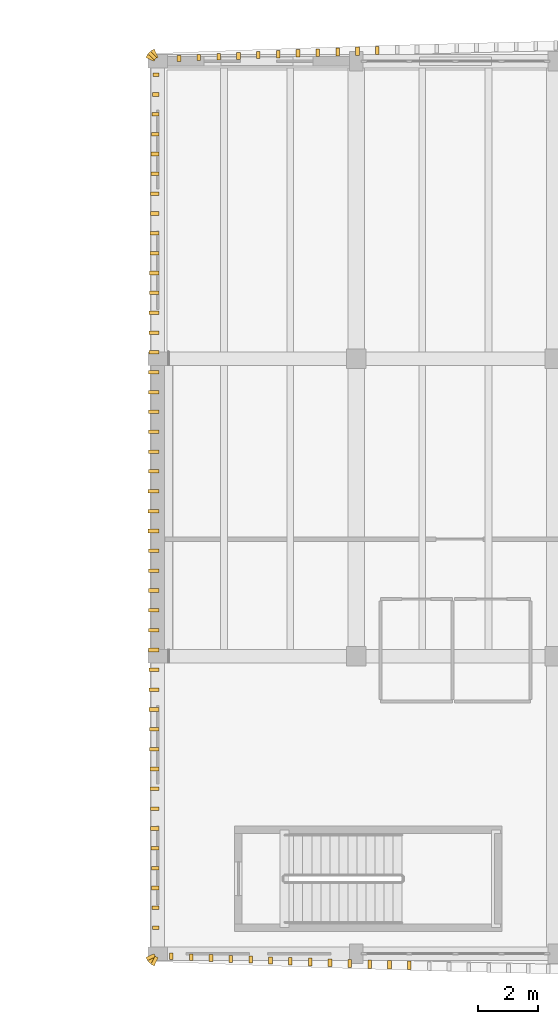
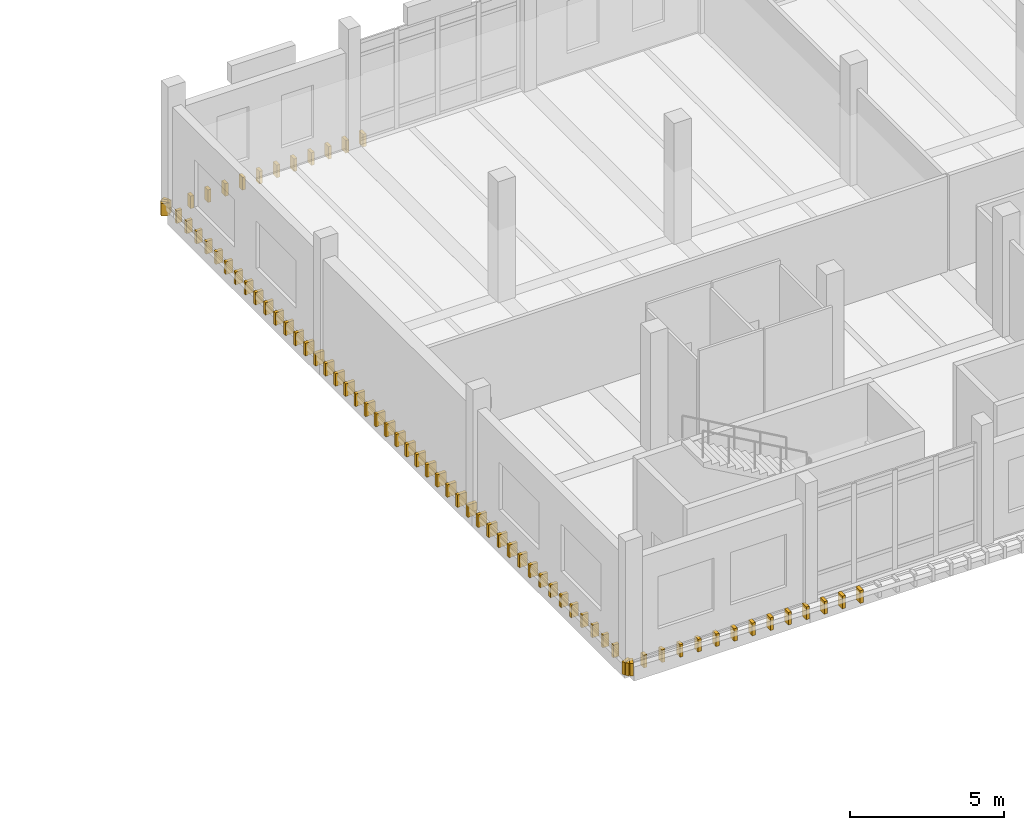
# One storey, part 37 of 39: 74 coverings.
"""IFC4 building model written with IfcOpenShell, lengths in metres."""

from ifc_helpers import new_model, si_unit, direction, frame, origin, origin_2d, place, context, subcontext, project, spatial, rectangle, extrude, material, layer, layer_set, type_object, element, save


model = new_model("IFC4")

# Units and contexts
model_context = context("Model", 3, precision=1e-05, world=origin(), true_north=direction((0.0, 1.0)))
body_context = subcontext(model_context, "Body", "Model", "MODEL_VIEW")
ifc_project = project(units=[si_unit("LENGTHUNIT", "METRE"), si_unit("AREAUNIT", "SQUARE_METRE"), si_unit("VOLUMEUNIT", "CUBIC_METRE"), si_unit("PLANEANGLEUNIT", "RADIAN"), si_unit("MASSUNIT", "GRAM", prefix="KILO")], contexts=[model_context])

# Site, building, storey
site_placement = place(None, origin())
site = spatial("IfcSite", under=ifc_project, at=site_placement, CompositionType="ELEMENT")
building_placement = place(site_placement, origin())
building = spatial("IfcBuilding", under=site, at=building_placement, Name="Dornvale Research Institute", CompositionType="ELEMENT")
storey_placement = place(building_placement, frame((0.0, 0.0, 24.60009765625)))
storey = spatial("IfcBuildingStorey", under=building, at=storey_placement, Name="L05", CompositionType="ELEMENT", Elevation=24.60009765625)

# Coverings
ifc_material = material(Name="Polychrome Glazed Terracotta Visor Rib Ceramic", Category="masonry")
ifc_layer = layer(ifc_material, 0.1201171875)
ifc_layer_set = layer_set([ifc_layer], Name="Polychrome Glazed Terracotta Visor Rib Ceramic")
covering_type = type_object("IfcCoveringType", Name="Covering_VisorBlade_Low", PredefinedType="CLADDING", material=ifc_layer_set)
covering_1_placement = place(storey_placement, frame((119.249755859375, 92.31982421875, -0.489990234375), z_axis=(0.0, 0.0, 1.0), x_axis=(0.0, 1.0, 0.0)))
element("IfcCovering", 1, at=covering_1_placement, inside=storey, type_object=covering_type, Name="L05 V4 canted glazed terracotta visor blade #2811", PredefinedType="CLADDING", context=body_context, shape_type="SweptSolid", body=[
    extrude(rectangle(XDim=0.205078125, YDim=0.1201171875, at=origin_2d()), origin(), (0.0, 0.0, 1.0), 0.5),
])
covering_2_placement = place(storey_placement, frame((119.9091796875, 92.290283203125, -0.489990234375), z_axis=(0.0, 0.0, 1.0), x_axis=(0.0, 1.0, 0.0)))
element("IfcCovering", 2, at=covering_2_placement, inside=storey, type_object=covering_type, Name="L05 V4 canted glazed terracotta visor blade #2812", PredefinedType="CLADDING", context=body_context, shape_type="SweptSolid", body=[
    extrude(rectangle(XDim=0.212890625, YDim=0.1201171875, at=origin_2d()), origin(), (0.0, 0.0, 1.0), 0.5),
])
covering_3_placement = place(storey_placement, frame((120.568603515625, 92.26123046875, -0.489990234375), z_axis=(0.0, 0.0, 1.0), x_axis=(0.0, 1.0, 0.0)))
element("IfcCovering", 3, at=covering_3_placement, inside=storey, type_object=covering_type, Name="L05 V4 canted glazed terracotta visor blade #2813", PredefinedType="CLADDING", context=body_context, shape_type="SweptSolid", body=[
    extrude(rectangle(XDim=0.219970703125, YDim=0.1201171875, at=origin_2d()), origin(), (0.0, 0.0, 1.0), 0.5),
])
covering_4_placement = place(storey_placement, frame((121.228271484375, 92.2333984375, -0.489990234375), z_axis=(0.0, 0.0, 1.0), x_axis=(0.0, 1.0, 0.0)))
element("IfcCovering", 4, at=covering_4_placement, inside=storey, type_object=covering_type, Name="L05 V4 canted glazed terracotta visor blade #2814", PredefinedType="CLADDING", context=body_context, shape_type="SweptSolid", body=[
    extrude(rectangle(XDim=0.22705078125, YDim=0.1201171875, at=origin_2d()), origin(), (0.0, 0.0, 1.0), 0.5),
])
covering_5_placement = place(storey_placement, frame((121.8876953125, 92.205810546875, -0.489990234375), z_axis=(0.0, 0.0, 1.0), x_axis=(0.0, 1.0, 0.0)))
element("IfcCovering", 5, at=covering_5_placement, inside=storey, type_object=covering_type, Name="L05 V4 canted glazed terracotta visor blade #2815", PredefinedType="CLADDING", context=body_context, shape_type="SweptSolid", body=[
    extrude(rectangle(XDim=0.23388671875, YDim=0.1201171875, at=origin_2d()), origin(), (0.0, 0.0, 1.0), 0.5),
])
covering_6_placement = place(storey_placement, frame((122.54736328125, 92.17919921875, -0.489990234375), z_axis=(0.0, 0.0, 1.0), x_axis=(0.0, 1.0, 0.0)))
element("IfcCovering", 6, at=covering_6_placement, inside=storey, type_object=covering_type, Name="L05 V4 canted glazed terracotta visor blade #2816", PredefinedType="CLADDING", context=body_context, shape_type="SweptSolid", body=[
    extrude(rectangle(XDim=0.240966796875, YDim=0.1201171875, at=origin_2d()), origin(), (0.0, 0.0, 1.0), 0.5),
])
covering_7_placement = place(storey_placement, frame((123.20703125, 92.1533203125, -0.489990234375), z_axis=(0.0, 0.0, 1.0), x_axis=(0.0, 1.0, 0.0)))
element("IfcCovering", 7, at=covering_7_placement, inside=storey, type_object=covering_type, Name="L05 V4 canted glazed terracotta visor blade #2817", PredefinedType="CLADDING", context=body_context, shape_type="SweptSolid", body=[
    extrude(rectangle(XDim=0.248046875, YDim=0.1201171875, at=origin_2d()), origin(), (0.0, 0.0, 1.0), 0.5),
])
covering_8_placement = place(storey_placement, frame((123.86669921875, 92.1279296875, -0.489990234375), z_axis=(0.0, 0.0, 1.0), x_axis=(0.0, 1.0, 0.0)))
element("IfcCovering", 8, at=covering_8_placement, inside=storey, type_object=covering_type, Name="L05 V4 canted glazed terracotta visor blade #2818", PredefinedType="CLADDING", context=body_context, shape_type="SweptSolid", body=[
    extrude(rectangle(XDim=0.25390625, YDim=0.1201171875, at=origin_2d()), origin(), (0.0, 0.0, 1.0), 0.5),
])
covering_9_placement = place(storey_placement, frame((124.5263671875, 92.10400390625, -0.489990234375), z_axis=(0.0, 0.0, 1.0), x_axis=(0.0, 1.0, 0.0)))
element("IfcCovering", 9, at=covering_9_placement, inside=storey, type_object=covering_type, Name="L05 V4 canted glazed terracotta visor blade #2819", PredefinedType="CLADDING", context=body_context, shape_type="SweptSolid", body=[
    extrude(rectangle(XDim=0.260009765625, YDim=0.1201171875, at=origin_2d()), origin(), (0.0, 0.0, 1.0), 0.5),
])
covering_10_placement = place(storey_placement, frame((125.185791015625, 92.080078125, -0.489990234375), z_axis=(0.0, 0.0, 1.0), x_axis=(0.0, 1.0, 0.0)))
element("IfcCovering", 10, at=covering_10_placement, inside=storey, type_object=covering_type, Name="L05 V4 canted glazed terracotta visor blade #2820", PredefinedType="CLADDING", context=body_context, shape_type="SweptSolid", body=[
    extrude(rectangle(XDim=0.26611328125, YDim=0.1201171875, at=origin_2d()), origin(), (0.0, 0.0, 1.0), 0.5),
])
covering_11_placement = place(storey_placement, frame((125.845703125, 92.05712890625, -0.489990234375), z_axis=(0.0, 0.0, 1.0), x_axis=(0.0, 1.0, 0.0)))
element("IfcCovering", 11, at=covering_11_placement, inside=storey, type_object=covering_type, Name="L05 V4 canted glazed terracotta visor blade #2821", PredefinedType="CLADDING", context=body_context, shape_type="SweptSolid", body=[
    extrude(rectangle(XDim=0.27197265625, YDim=0.1201171875, at=origin_2d()), origin(), (0.0, 0.0, 1.0), 0.5),
])
covering_12_placement = place(storey_placement, frame((126.50537109375, 92.034912109375, -0.489990234375), z_axis=(0.0, 0.0, 1.0), x_axis=(0.0, 1.0, 0.0)))
element("IfcCovering", 12, at=covering_12_placement, inside=storey, type_object=covering_type, Name="L05 V4 canted glazed terracotta visor blade #2822", PredefinedType="CLADDING", context=body_context, shape_type="SweptSolid", body=[
    extrude(rectangle(XDim=0.278076171875, YDim=0.1201171875, at=origin_2d()), origin(), (0.0, 0.0, 1.0), 0.5),
])
covering_13_placement = place(storey_placement, frame((127.1650390625, 92.01318359375, -0.489990234375), z_axis=(0.0, 0.0, 1.0), x_axis=(0.0, 1.0, 0.0)))
element("IfcCovering", 13, at=covering_13_placement, inside=storey, type_object=covering_type, Name="L05 V4 canted glazed terracotta visor blade #2823", PredefinedType="CLADDING", context=body_context, shape_type="SweptSolid", body=[
    extrude(rectangle(XDim=0.282958984375, YDim=0.1201171875, at=origin_2d()), origin(), (0.0, 0.0, 1.0), 0.5),
])
covering_14_placement = place(storey_placement, frame((126.100341796875, 122.451416015625, -0.489990234375), z_axis=(0.0, 0.0, 1.0), x_axis=(0.0, 1.0, 0.0)))
element("IfcCovering", 14, at=covering_14_placement, inside=storey, type_object=covering_type, Name="L05 V4 canted glazed terracotta visor blade #2964", PredefinedType="CLADDING", context=body_context, shape_type="SweptSolid", body=[
    extrude(rectangle(XDim=0.27392578125, YDim=0.1201171875, at=origin_2d()), origin(), (0.0, 0.0, 1.0), 0.5),
])
covering_15_placement = place(storey_placement, frame((125.440673828125, 122.428955078125, -0.489990234375), z_axis=(0.0, 0.0, 1.0), x_axis=(0.0, 1.0, 0.0)))
element("IfcCovering", 15, at=covering_15_placement, inside=storey, type_object=covering_type, Name="L05 V4 canted glazed terracotta visor blade #2965", PredefinedType="CLADDING", context=body_context, shape_type="SweptSolid", body=[
    extrude(rectangle(XDim=0.26806640625, YDim=0.1201171875, at=origin_2d()), origin(), (0.0, 0.0, 1.0), 0.5),
])
covering_16_placement = place(storey_placement, frame((124.781005859375, 122.405029296875, -0.489990234375), z_axis=(0.0, 0.0, 1.0), x_axis=(0.0, 1.0, 0.0)))
element("IfcCovering", 16, at=covering_16_placement, inside=storey, type_object=covering_type, Name="L05 V4 canted glazed terracotta visor blade #2966", PredefinedType="CLADDING", context=body_context, shape_type="SweptSolid", body=[
    extrude(rectangle(XDim=0.261962890625, YDim=0.1201171875, at=origin_2d()), origin(), (0.0, 0.0, 1.0), 0.5),
])
covering_17_placement = place(storey_placement, frame((124.12109375, 122.381103515625, -0.489990234375), z_axis=(0.0, 0.0, 1.0), x_axis=(0.0, 1.0, 0.0)))
element("IfcCovering", 17, at=covering_17_placement, inside=storey, type_object=covering_type, Name="L05 V4 canted glazed terracotta visor blade #2967", PredefinedType="CLADDING", context=body_context, shape_type="SweptSolid", body=[
    extrude(rectangle(XDim=0.256103515625, YDim=0.1201171875, at=origin_2d()), origin(), (0.0, 0.0, 1.0), 0.5),
])
covering_18_placement = place(storey_placement, frame((123.461669921875, 122.3564453125, -0.489990234375), z_axis=(0.0, 0.0, 1.0), x_axis=(0.0, 1.0, 0.0)))
element("IfcCovering", 18, at=covering_18_placement, inside=storey, type_object=covering_type, Name="L05 V4 canted glazed terracotta visor blade #2968", PredefinedType="CLADDING", context=body_context, shape_type="SweptSolid", body=[
    extrude(rectangle(XDim=0.25, YDim=0.1201171875, at=origin_2d()), origin(), (0.0, 0.0, 1.0), 0.5),
])
covering_19_placement = place(storey_placement, frame((122.802001953125, 122.33056640625, -0.489990234375), z_axis=(0.0, 0.0, 1.0), x_axis=(0.0, 1.0, 0.0)))
element("IfcCovering", 19, at=covering_19_placement, inside=storey, type_object=covering_type, Name="L05 V4 canted glazed terracotta visor blade #2969", PredefinedType="CLADDING", context=body_context, shape_type="SweptSolid", body=[
    extrude(rectangle(XDim=0.242919921875, YDim=0.1201171875, at=origin_2d()), origin(), (0.0, 0.0, 1.0), 0.5),
])
covering_20_placement = place(storey_placement, frame((122.142333984375, 122.304931640625, -0.489990234375), z_axis=(0.0, 0.0, 1.0), x_axis=(0.0, 1.0, 0.0)))
element("IfcCovering", 20, at=covering_20_placement, inside=storey, type_object=covering_type, Name="L05 V4 canted glazed terracotta visor blade #2970", PredefinedType="CLADDING", context=body_context, shape_type="SweptSolid", body=[
    extrude(rectangle(XDim=0.237060546875, YDim=0.1201171875, at=origin_2d()), origin(), (0.0, 0.0, 1.0), 0.5),
])
covering_21_placement = place(storey_placement, frame((121.48291015625, 122.27734375, -0.489990234375), z_axis=(0.0, 0.0, 1.0), x_axis=(0.0, 1.0, 0.0)))
element("IfcCovering", 21, at=covering_21_placement, inside=storey, type_object=covering_type, Name="L05 V4 canted glazed terracotta visor blade #2971", PredefinedType="CLADDING", context=body_context, shape_type="SweptSolid", body=[
    extrude(rectangle(XDim=0.22998046875, YDim=0.1201171875, at=origin_2d()), origin(), (0.0, 0.0, 1.0), 0.5),
])
covering_22_placement = place(storey_placement, frame((120.8232421875, 122.24951171875, -0.489990234375), z_axis=(0.0, 0.0, 1.0), x_axis=(0.0, 1.0, 0.0)))
element("IfcCovering", 22, at=covering_22_placement, inside=storey, type_object=covering_type, Name="L05 V4 canted glazed terracotta visor blade #2972", PredefinedType="CLADDING", context=body_context, shape_type="SweptSolid", body=[
    extrude(rectangle(XDim=0.222900390625, YDim=0.1201171875, at=origin_2d()), origin(), (0.0, 0.0, 1.0), 0.5),
])
covering_23_placement = place(storey_placement, frame((120.163818359375, 122.22119140625, -0.489990234375), z_axis=(0.0, 0.0, 1.0), x_axis=(0.0, 1.0, 0.0)))
element("IfcCovering", 23, at=covering_23_placement, inside=storey, type_object=covering_type, Name="L05 V4 canted glazed terracotta visor blade #2973", PredefinedType="CLADDING", context=body_context, shape_type="SweptSolid", body=[
    extrude(rectangle(XDim=0.216064453125, YDim=0.1201171875, at=origin_2d()), origin(), (0.0, 0.0, 1.0), 0.5),
])
covering_24_placement = place(storey_placement, frame((119.504150390625, 122.19140625, -0.489990234375), z_axis=(0.0, 0.0, 1.0), x_axis=(0.0, 1.0, 0.0)))
element("IfcCovering", 24, at=covering_24_placement, inside=storey, type_object=covering_type, Name="L05 V4 canted glazed terracotta visor blade #2974", PredefinedType="CLADDING", context=body_context, shape_type="SweptSolid", body=[
    extrude(rectangle(XDim=0.2080078125, YDim=0.1201171875, at=origin_2d()), origin(), (0.0, 0.0, 1.0), 0.5),
])
covering_25_placement = place(storey_placement, frame((118.735107421875, 121.64990234375, -0.489990234375), z_axis=(0.0, 0.0, 1.0), x_axis=(1.0, 0.0, 0.0)))
element("IfcCovering", 25, at=covering_25_placement, inside=storey, type_object=covering_type, Name="L05 V4 canted glazed terracotta visor blade #2975", PredefinedType="CLADDING", context=body_context, shape_type="SweptSolid", body=[
    extrude(rectangle(XDim=0.2099609375, YDim=0.1201171875, at=origin_2d()), origin(), (0.0, 0.0, 1.0), 0.5),
])
covering_26_placement = place(storey_placement, frame((118.728515625, 120.989990234375, -0.489990234375), z_axis=(0.0, 0.0, 1.0), x_axis=(1.0, 0.0, 0.0)))
element("IfcCovering", 26, at=covering_26_placement, inside=storey, type_object=covering_type, Name="L05 V4 canted glazed terracotta visor blade #2976", PredefinedType="CLADDING", context=body_context, shape_type="SweptSolid", body=[
    extrude(rectangle(XDim=0.222900390625, YDim=0.1201171875, at=origin_2d()), origin(), (0.0, 0.0, 1.0), 0.5),
])
covering_27_placement = place(storey_placement, frame((118.721923828125, 120.330078125, -0.489990234375), z_axis=(0.0, 0.0, 1.0), x_axis=(1.0, 0.0, 0.0)))
element("IfcCovering", 27, at=covering_27_placement, inside=storey, type_object=covering_type, Name="L05 V4 canted glazed terracotta visor blade #2977", PredefinedType="CLADDING", context=body_context, shape_type="SweptSolid", body=[
    extrude(rectangle(XDim=0.236083984375, YDim=0.1201171875, at=origin_2d()), origin(), (0.0, 0.0, 1.0), 0.5),
])
covering_28_placement = place(storey_placement, frame((118.716064453125, 119.669921875, -0.489990234375), z_axis=(0.0, 0.0, 1.0), x_axis=(1.0, 0.0, 0.0)))
element("IfcCovering", 28, at=covering_28_placement, inside=storey, type_object=covering_type, Name="L05 V4 canted glazed terracotta visor blade #2978", PredefinedType="CLADDING", context=body_context, shape_type="SweptSolid", body=[
    extrude(rectangle(XDim=0.248046875, YDim=0.1201171875, at=origin_2d()), origin(), (0.0, 0.0, 1.0), 0.5),
])
covering_29_placement = place(storey_placement, frame((118.7099609375, 119.010009765625, -0.489990234375), z_axis=(0.0, 0.0, 1.0), x_axis=(1.0, 0.0, 0.0)))
element("IfcCovering", 29, at=covering_29_placement, inside=storey, type_object=covering_type, Name="L05 V4 canted glazed terracotta visor blade #2979", PredefinedType="CLADDING", context=body_context, shape_type="SweptSolid", body=[
    extrude(rectangle(XDim=0.260009765625, YDim=0.1201171875, at=origin_2d()), origin(), (0.0, 0.0, 1.0), 0.5),
])
covering_30_placement = place(storey_placement, frame((118.70458984375, 118.35009765625, -0.489990234375), z_axis=(0.0, 0.0, 1.0), x_axis=(1.0, 0.0, 0.0)))
element("IfcCovering", 30, at=covering_30_placement, inside=storey, type_object=covering_type, Name="L05 V4 canted glazed terracotta visor blade #2980", PredefinedType="CLADDING", context=body_context, shape_type="SweptSolid", body=[
    extrude(rectangle(XDim=0.27099609375, YDim=0.1201171875, at=origin_2d()), origin(), (0.0, 0.0, 1.0), 0.5),
])
covering_31_placement = place(storey_placement, frame((118.699462890625, 117.68994140625, -0.489990234375), z_axis=(0.0, 0.0, 1.0), x_axis=(1.0, 0.0, 0.0)))
element("IfcCovering", 31, at=covering_31_placement, inside=storey, type_object=covering_type, Name="L05 V4 canted glazed terracotta visor blade #2981", PredefinedType="CLADDING", context=body_context, shape_type="SweptSolid", body=[
    extrude(rectangle(XDim=0.281005859375, YDim=0.1201171875, at=origin_2d()), origin(), (0.0, 0.0, 1.0), 0.5),
])
covering_32_placement = place(storey_placement, frame((118.694580078125, 117.030029296875, -0.489990234375), z_axis=(0.0, 0.0, 1.0), x_axis=(1.0, 0.0, 0.0)))
element("IfcCovering", 32, at=covering_32_placement, inside=storey, type_object=covering_type, Name="L05 V4 canted glazed terracotta visor blade #2982", PredefinedType="CLADDING", context=body_context, shape_type="SweptSolid", body=[
    extrude(rectangle(XDim=0.291015625, YDim=0.1201171875, at=origin_2d()), origin(), (0.0, 0.0, 1.0), 0.5),
])
covering_33_placement = place(storey_placement, frame((118.68994140625, 116.3701171875, -0.489990234375), z_axis=(0.0, 0.0, 1.0), x_axis=(1.0, 0.0, 0.0)))
element("IfcCovering", 33, at=covering_33_placement, inside=storey, type_object=covering_type, Name="L05 V4 canted glazed terracotta visor blade #2983", PredefinedType="CLADDING", context=body_context, shape_type="SweptSolid", body=[
    extrude(rectangle(XDim=0.300048828125, YDim=0.1201171875, at=origin_2d()), origin(), (0.0, 0.0, 1.0), 0.5),
])
covering_34_placement = place(storey_placement, frame((118.68603515625, 115.7099609375, -0.489990234375), z_axis=(0.0, 0.0, 1.0), x_axis=(1.0, 0.0, 0.0)))
element("IfcCovering", 34, at=covering_34_placement, inside=storey, type_object=covering_type, Name="L05 V4 canted glazed terracotta visor blade #2984", PredefinedType="CLADDING", context=body_context, shape_type="SweptSolid", body=[
    extrude(rectangle(XDim=0.30810546875, YDim=0.1201171875, at=origin_2d()), origin(), (0.0, 0.0, 1.0), 0.5),
])
covering_35_placement = place(storey_placement, frame((118.681884765625, 115.050048828125, -0.489990234375), z_axis=(0.0, 0.0, 1.0), x_axis=(1.0, 0.0, 0.0)))
element("IfcCovering", 35, at=covering_35_placement, inside=storey, type_object=covering_type, Name="L05 V4 canted glazed terracotta visor blade #2985", PredefinedType="CLADDING", context=body_context, shape_type="SweptSolid", body=[
    extrude(rectangle(XDim=0.31591796875, YDim=0.1201171875, at=origin_2d()), origin(), (0.0, 0.0, 1.0), 0.5),
])
covering_36_placement = place(storey_placement, frame((118.678466796875, 114.389892578125, -0.489990234375), z_axis=(0.0, 0.0, 1.0), x_axis=(1.0, 0.0, 0.0)))
element("IfcCovering", 36, at=covering_36_placement, inside=storey, type_object=covering_type, Name="L05 V4 canted glazed terracotta visor blade #2986", PredefinedType="CLADDING", context=body_context, shape_type="SweptSolid", body=[
    extrude(rectangle(XDim=0.322998046875, YDim=0.1201171875, at=origin_2d()), origin(), (0.0, 0.0, 1.0), 0.5),
])
covering_37_placement = place(storey_placement, frame((118.675048828125, 113.72998046875, -0.489990234375), z_axis=(0.0, 0.0, 1.0), x_axis=(1.0, 0.0, 0.0)))
element("IfcCovering", 37, at=covering_37_placement, inside=storey, type_object=covering_type, Name="L05 V4 canted glazed terracotta visor blade #2987", PredefinedType="CLADDING", context=body_context, shape_type="SweptSolid", body=[
    extrude(rectangle(XDim=0.330078125, YDim=0.1201171875, at=origin_2d()), origin(), (0.0, 0.0, 1.0), 0.5),
])
covering_38_placement = place(storey_placement, frame((118.672607421875, 113.070068359375, -0.489990234375), z_axis=(0.0, 0.0, 1.0), x_axis=(1.0, 0.0, 0.0)))
element("IfcCovering", 38, at=covering_38_placement, inside=storey, type_object=covering_type, Name="L05 V4 canted glazed terracotta visor blade #2988", PredefinedType="CLADDING", context=body_context, shape_type="SweptSolid", body=[
    extrude(rectangle(XDim=0.3349609375, YDim=0.1201171875, at=origin_2d()), origin(), (0.0, 0.0, 1.0), 0.5),
])
covering_39_placement = place(storey_placement, frame((118.66943359375, 112.409912109375, -0.489990234375), z_axis=(0.0, 0.0, 1.0), x_axis=(1.0, 0.0, 0.0)))
element("IfcCovering", 39, at=covering_39_placement, inside=storey, type_object=covering_type, Name="L05 V4 canted glazed terracotta visor blade #2989", PredefinedType="CLADDING", context=body_context, shape_type="SweptSolid", body=[
    extrude(rectangle(XDim=0.341064453125, YDim=0.1201171875, at=origin_2d()), origin(), (0.0, 0.0, 1.0), 0.5),
])
covering_40_placement = place(storey_placement, frame((118.66748046875, 111.75, -0.489990234375), z_axis=(0.0, 0.0, 1.0), x_axis=(1.0, 0.0, 0.0)))
element("IfcCovering", 40, at=covering_40_placement, inside=storey, type_object=covering_type, Name="L05 V4 canted glazed terracotta visor blade #2990", PredefinedType="CLADDING", context=body_context, shape_type="SweptSolid", body=[
    extrude(rectangle(XDim=0.344970703125, YDim=0.1201171875, at=origin_2d()), origin(), (0.0, 0.0, 1.0), 0.5),
])
covering_41_placement = place(storey_placement, frame((118.66552734375, 111.090087890625, -0.489990234375), z_axis=(0.0, 0.0, 1.0), x_axis=(1.0, 0.0, 0.0)))
element("IfcCovering", 41, at=covering_41_placement, inside=storey, type_object=covering_type, Name="L05 V4 canted glazed terracotta visor blade #2991", PredefinedType="CLADDING", context=body_context, shape_type="SweptSolid", body=[
    extrude(rectangle(XDim=0.34912109375, YDim=0.1201171875, at=origin_2d()), origin(), (0.0, 0.0, 1.0), 0.5),
])
covering_42_placement = place(storey_placement, frame((118.66357421875, 110.429931640625, -0.489990234375), z_axis=(0.0, 0.0, 1.0), x_axis=(1.0, 0.0, 0.0)))
element("IfcCovering", 42, at=covering_42_placement, inside=storey, type_object=covering_type, Name="L05 V4 canted glazed terracotta visor blade #2992", PredefinedType="CLADDING", context=body_context, shape_type="SweptSolid", body=[
    extrude(rectangle(XDim=0.35302734375, YDim=0.1201171875, at=origin_2d()), origin(), (0.0, 0.0, 1.0), 0.5),
])
covering_43_placement = place(storey_placement, frame((118.66259765625, 109.77001953125, -0.489990234375), z_axis=(0.0, 0.0, 1.0), x_axis=(1.0, 0.0, 0.0)))
element("IfcCovering", 43, at=covering_43_placement, inside=storey, type_object=covering_type, Name="L05 V4 canted glazed terracotta visor blade #2993", PredefinedType="CLADDING", context=body_context, shape_type="SweptSolid", body=[
    extrude(rectangle(XDim=0.35498046875, YDim=0.1201171875, at=origin_2d()), origin(), (0.0, 0.0, 1.0), 0.5),
])
covering_44_placement = place(storey_placement, frame((118.66162109375, 109.110107421875, -0.489990234375), z_axis=(0.0, 0.0, 1.0), x_axis=(1.0, 0.0, 0.0)))
element("IfcCovering", 44, at=covering_44_placement, inside=storey, type_object=covering_type, Name="L05 V4 canted glazed terracotta visor blade #2994", PredefinedType="CLADDING", context=body_context, shape_type="SweptSolid", body=[
    extrude(rectangle(XDim=0.35693359375, YDim=0.1201171875, at=origin_2d()), origin(), (0.0, 0.0, 1.0), 0.5),
])
covering_45_placement = place(storey_placement, frame((118.660400390625, 108.449951171875, -0.489990234375), z_axis=(0.0, 0.0, 1.0), x_axis=(1.0, 0.0, 0.0)))
element("IfcCovering", 45, at=covering_45_placement, inside=storey, type_object=covering_type, Name="L05 V4 canted glazed terracotta visor blade #2995", PredefinedType="CLADDING", context=body_context, shape_type="SweptSolid", body=[
    extrude(rectangle(XDim=0.35888671875, YDim=0.1201171875, at=origin_2d()), origin(), (0.0, 0.0, 1.0), 0.5),
])
for number, where, z_axis, x_axis, name in (
    (46, (118.659912109375, 107.7900390625, -0.489990234375), (0.0, 0.0, 1.0), (1.0, 0.0, 0.0), "L05 V4 canted glazed terracotta visor blade #2996"),
    (47, (118.659912109375, 107.1298828125, -0.489990234375), (0.0, 0.0, 1.0), (1.0, 0.0, 0.0), "L05 V4 canted glazed terracotta visor blade #2997"),
    (48, (118.659912109375, 106.469970703125, -0.489990234375), (0.0, 0.0, 1.0), (1.0, 0.0, 0.0), "L05 V4 canted glazed terracotta visor blade #2998"),
):
    element("IfcCovering", number, at=place(storey_placement, frame(where, z_axis=z_axis, x_axis=x_axis)), inside=storey, type_object=covering_type, Name=name, PredefinedType="CLADDING", context=body_context, shape_type="SweptSolid", body=[
        extrude(rectangle(XDim=0.360107421875, YDim=0.1201171875, at=origin_2d()), origin(), (0.0, 0.0, 1.0), 0.5),
    ])
covering_46_placement = place(storey_placement, frame((118.660888671875, 105.81005859375, -0.489990234375), z_axis=(0.0, 0.0, 1.0), x_axis=(1.0, 0.0, 0.0)))
element("IfcCovering", 49, at=covering_46_placement, inside=storey, type_object=covering_type, Name="L05 V4 canted glazed terracotta visor blade #2999", PredefinedType="CLADDING", context=body_context, shape_type="SweptSolid", body=[
    extrude(rectangle(XDim=0.35791015625, YDim=0.1201171875, at=origin_2d()), origin(), (0.0, 0.0, 1.0), 0.5),
])
covering_47_placement = place(storey_placement, frame((118.66162109375, 105.14990234375, -0.489990234375), z_axis=(0.0, 0.0, 1.0), x_axis=(1.0, 0.0, 0.0)))
element("IfcCovering", 50, at=covering_47_placement, inside=storey, type_object=covering_type, Name="L05 V4 canted glazed terracotta visor blade #3000", PredefinedType="CLADDING", context=body_context, shape_type="SweptSolid", body=[
    extrude(rectangle(XDim=0.35693359375, YDim=0.1201171875, at=origin_2d()), origin(), (0.0, 0.0, 1.0), 0.5),
])
covering_48_placement = place(storey_placement, frame((118.6630859375, 104.489990234375, -0.489990234375), z_axis=(0.0, 0.0, 1.0), x_axis=(1.0, 0.0, 0.0)))
element("IfcCovering", 51, at=covering_48_placement, inside=storey, type_object=covering_type, Name="L05 V4 canted glazed terracotta visor blade #3001", PredefinedType="CLADDING", context=body_context, shape_type="SweptSolid", body=[
    extrude(rectangle(XDim=0.35400390625, YDim=0.1201171875, at=origin_2d()), origin(), (0.0, 0.0, 1.0), 0.5),
])
covering_49_placement = place(storey_placement, frame((118.6640625, 103.830078125, -0.489990234375), z_axis=(0.0, 0.0, 1.0), x_axis=(1.0, 0.0, 0.0)))
element("IfcCovering", 52, at=covering_49_placement, inside=storey, type_object=covering_type, Name="L05 V4 canted glazed terracotta visor blade #3002", PredefinedType="CLADDING", context=body_context, shape_type="SweptSolid", body=[
    extrude(rectangle(XDim=0.35205078125, YDim=0.1201171875, at=origin_2d()), origin(), (0.0, 0.0, 1.0), 0.5),
])
covering_50_placement = place(storey_placement, frame((118.666015625, 103.169921875, -0.489990234375), z_axis=(0.0, 0.0, 1.0), x_axis=(1.0, 0.0, 0.0)))
element("IfcCovering", 53, at=covering_50_placement, inside=storey, type_object=covering_type, Name="L05 V4 canted glazed terracotta visor blade #3003", PredefinedType="CLADDING", context=body_context, shape_type="SweptSolid", body=[
    extrude(rectangle(XDim=0.347900390625, YDim=0.1201171875, at=origin_2d()), origin(), (0.0, 0.0, 1.0), 0.5),
])
covering_51_placement = place(storey_placement, frame((118.66796875, 102.510009765625, -0.489990234375), z_axis=(0.0, 0.0, 1.0), x_axis=(1.0, 0.0, 0.0)))
element("IfcCovering", 54, at=covering_51_placement, inside=storey, type_object=covering_type, Name="L05 V4 canted glazed terracotta visor blade #3004", PredefinedType="CLADDING", context=body_context, shape_type="SweptSolid", body=[
    extrude(rectangle(XDim=0.343994140625, YDim=0.1201171875, at=origin_2d()), origin(), (0.0, 0.0, 1.0), 0.5),
])
covering_52_placement = place(storey_placement, frame((118.67041015625, 101.85009765625, -0.489990234375), z_axis=(0.0, 0.0, 1.0), x_axis=(1.0, 0.0, 0.0)))
element("IfcCovering", 55, at=covering_52_placement, inside=storey, type_object=covering_type, Name="L05 V4 canted glazed terracotta visor blade #3005", PredefinedType="CLADDING", context=body_context, shape_type="SweptSolid", body=[
    extrude(rectangle(XDim=0.339111328125, YDim=0.1201171875, at=origin_2d()), origin(), (0.0, 0.0, 1.0), 0.5),
])
covering_53_placement = place(storey_placement, frame((118.673583984375, 101.18994140625, -0.489990234375), z_axis=(0.0, 0.0, 1.0), x_axis=(1.0, 0.0, 0.0)))
element("IfcCovering", 56, at=covering_53_placement, inside=storey, type_object=covering_type, Name="L05 V4 canted glazed terracotta visor blade #3006", PredefinedType="CLADDING", context=body_context, shape_type="SweptSolid", body=[
    extrude(rectangle(XDim=0.3330078125, YDim=0.1201171875, at=origin_2d()), origin(), (0.0, 0.0, 1.0), 0.5),
])
covering_54_placement = place(storey_placement, frame((118.676513671875, 100.530029296875, -0.489990234375), z_axis=(0.0, 0.0, 1.0), x_axis=(1.0, 0.0, 0.0)))
element("IfcCovering", 57, at=covering_54_placement, inside=storey, type_object=covering_type, Name="L05 V4 canted glazed terracotta visor blade #3007", PredefinedType="CLADDING", context=body_context, shape_type="SweptSolid", body=[
    extrude(rectangle(XDim=0.326904296875, YDim=0.1201171875, at=origin_2d()), origin(), (0.0, 0.0, 1.0), 0.5),
])
covering_55_placement = place(storey_placement, frame((118.679931640625, 99.8701171875, -0.489990234375), z_axis=(0.0, 0.0, 1.0), x_axis=(1.0, 0.0, 0.0)))
element("IfcCovering", 58, at=covering_55_placement, inside=storey, type_object=covering_type, Name="L05 V4 canted glazed terracotta visor blade #3008", PredefinedType="CLADDING", context=body_context, shape_type="SweptSolid", body=[
    extrude(rectangle(XDim=0.320068359375, YDim=0.1201171875, at=origin_2d()), origin(), (0.0, 0.0, 1.0), 0.5),
])
covering_56_placement = place(storey_placement, frame((118.68359375, 99.2099609375, -0.489990234375), z_axis=(0.0, 0.0, 1.0), x_axis=(1.0, 0.0, 0.0)))
element("IfcCovering", 59, at=covering_56_placement, inside=storey, type_object=covering_type, Name="L05 V4 canted glazed terracotta visor blade #3009", PredefinedType="CLADDING", context=body_context, shape_type="SweptSolid", body=[
    extrude(rectangle(XDim=0.31298828125, YDim=0.1201171875, at=origin_2d()), origin(), (0.0, 0.0, 1.0), 0.5),
])
covering_57_placement = place(storey_placement, frame((118.6875, 98.550048828125, -0.489990234375), z_axis=(0.0, 0.0, 1.0), x_axis=(1.0, 0.0, 0.0)))
element("IfcCovering", 60, at=covering_57_placement, inside=storey, type_object=covering_type, Name="L05 V4 canted glazed terracotta visor blade #3010", PredefinedType="CLADDING", context=body_context, shape_type="SweptSolid", body=[
    extrude(rectangle(XDim=0.304931640625, YDim=0.1201171875, at=origin_2d()), origin(), (0.0, 0.0, 1.0), 0.5),
])
covering_58_placement = place(storey_placement, frame((118.69189453125, 97.889892578125, -0.489990234375), z_axis=(0.0, 0.0, 1.0), x_axis=(1.0, 0.0, 0.0)))
element("IfcCovering", 61, at=covering_58_placement, inside=storey, type_object=covering_type, Name="L05 V4 canted glazed terracotta visor blade #3011", PredefinedType="CLADDING", context=body_context, shape_type="SweptSolid", body=[
    extrude(rectangle(XDim=0.2958984375, YDim=0.1201171875, at=origin_2d()), origin(), (0.0, 0.0, 1.0), 0.5),
])
covering_59_placement = place(storey_placement, frame((118.696533203125, 97.22998046875, -0.489990234375), z_axis=(0.0, 0.0, 1.0), x_axis=(1.0, 0.0, 0.0)))
element("IfcCovering", 62, at=covering_59_placement, inside=storey, type_object=covering_type, Name="L05 V4 canted glazed terracotta visor blade #3012", PredefinedType="CLADDING", context=body_context, shape_type="SweptSolid", body=[
    extrude(rectangle(XDim=0.287109375, YDim=0.1201171875, at=origin_2d()), origin(), (0.0, 0.0, 1.0), 0.5),
])
covering_60_placement = place(storey_placement, frame((118.701416015625, 96.570068359375, -0.489990234375), z_axis=(0.0, 0.0, 1.0), x_axis=(1.0, 0.0, 0.0)))
element("IfcCovering", 63, at=covering_60_placement, inside=storey, type_object=covering_type, Name="L05 V4 canted glazed terracotta visor blade #3013", PredefinedType="CLADDING", context=body_context, shape_type="SweptSolid", body=[
    extrude(rectangle(XDim=0.277099609375, YDim=0.1201171875, at=origin_2d()), origin(), (0.0, 0.0, 1.0), 0.5),
])
covering_61_placement = place(storey_placement, frame((118.70654296875, 95.909912109375, -0.489990234375), z_axis=(0.0, 0.0, 1.0), x_axis=(1.0, 0.0, 0.0)))
element("IfcCovering", 64, at=covering_61_placement, inside=storey, type_object=covering_type, Name="L05 V4 canted glazed terracotta visor blade #3014", PredefinedType="CLADDING", context=body_context, shape_type="SweptSolid", body=[
    extrude(rectangle(XDim=0.26708984375, YDim=0.1201171875, at=origin_2d()), origin(), (0.0, 0.0, 1.0), 0.5),
])
covering_62_placement = place(storey_placement, frame((118.7119140625, 95.25, -0.489990234375), z_axis=(0.0, 0.0, 1.0), x_axis=(1.0, 0.0, 0.0)))
element("IfcCovering", 65, at=covering_62_placement, inside=storey, type_object=covering_type, Name="L05 V4 canted glazed terracotta visor blade #3015", PredefinedType="CLADDING", context=body_context, shape_type="SweptSolid", body=[
    extrude(rectangle(XDim=0.256103515625, YDim=0.1201171875, at=origin_2d()), origin(), (0.0, 0.0, 1.0), 0.5),
])
covering_63_placement = place(storey_placement, frame((118.718017578125, 94.590087890625, -0.489990234375), z_axis=(0.0, 0.0, 1.0), x_axis=(1.0, 0.0, 0.0)))
element("IfcCovering", 66, at=covering_63_placement, inside=storey, type_object=covering_type, Name="L05 V4 canted glazed terracotta visor blade #3016", PredefinedType="CLADDING", context=body_context, shape_type="SweptSolid", body=[
    extrude(rectangle(XDim=0.243896484375, YDim=0.1201171875, at=origin_2d()), origin(), (0.0, 0.0, 1.0), 0.5),
])
covering_64_placement = place(storey_placement, frame((118.724609375, 93.929931640625, -0.489990234375), z_axis=(0.0, 0.0, 1.0), x_axis=(1.0, 0.0, 0.0)))
element("IfcCovering", 67, at=covering_64_placement, inside=storey, type_object=covering_type, Name="L05 V4 canted glazed terracotta visor blade #3017", PredefinedType="CLADDING", context=body_context, shape_type="SweptSolid", body=[
    extrude(rectangle(XDim=0.23095703125, YDim=0.1201171875, at=origin_2d()), origin(), (0.0, 0.0, 1.0), 0.5),
])
covering_65_placement = place(storey_placement, frame((118.73095703125, 93.27001953125, -0.489990234375), z_axis=(0.0, 0.0, 1.0), x_axis=(1.0, 0.0, 0.0)))
element("IfcCovering", 68, at=covering_65_placement, inside=storey, type_object=covering_type, Name="L05 V4 canted glazed terracotta visor blade #3018", PredefinedType="CLADDING", context=body_context, shape_type="SweptSolid", body=[
    extrude(rectangle(XDim=0.218017578125, YDim=0.1201171875, at=origin_2d()), origin(), (0.0, 0.0, 1.0), 0.5),
])
for number, where, z_axis, x_axis, name in (
    (69, (118.564453125, 92.2900390625, -0.489990234375), (0.0, 0.0, 1.0), (-0.906307787037, -0.422618261741, 0.0), "L05 V4 corner-wrapping visor blade #3019"),
    (70, (118.6162109375, 92.21630859375, -0.489990234375), (0.0, 0.0, 1.0), (-0.707106781187, -0.707106781187, 0.0), "L05 V4 corner-wrapping visor blade #3020"),
    (71, (118.690185546875, 92.164306640625, -0.489990234375), (0.0, 0.0, 1.0), (-0.422618261741, -0.906307787037, 0.0), "L05 V4 corner-wrapping visor blade #3021"),
    (72, (118.690185546875, 122.335693359375, -0.489990234375), (0.0, 0.0, 1.0), (-0.422618261741, 0.906307787037, 0.0), "L05 V4 corner-wrapping visor blade #3022"),
    (73, (118.6162109375, 122.28369140625, -0.489990234375), (0.0, 0.0, 1.0), (-0.707106781187, 0.707106781187, 0.0), "L05 V4 corner-wrapping visor blade #3023"),
    (74, (118.564453125, 122.2099609375, -0.489990234375), (0.0, 0.0, 1.0), (-0.906307787037, 0.422618261741, 0.0), "L05 V4 corner-wrapping visor blade #3024"),
):
    element("IfcCovering", number, at=place(storey_placement, frame(where, z_axis=z_axis, x_axis=x_axis)), inside=storey, type_object=covering_type, Name=name, PredefinedType="CLADDING", context=body_context, shape_type="SweptSolid", body=[
        extrude(rectangle(XDim=0.300048828125, YDim=0.1201171875, at=origin_2d()), origin(), (0.0, 0.0, 1.0), 0.5),
    ])

save(model, "model.ifc")
